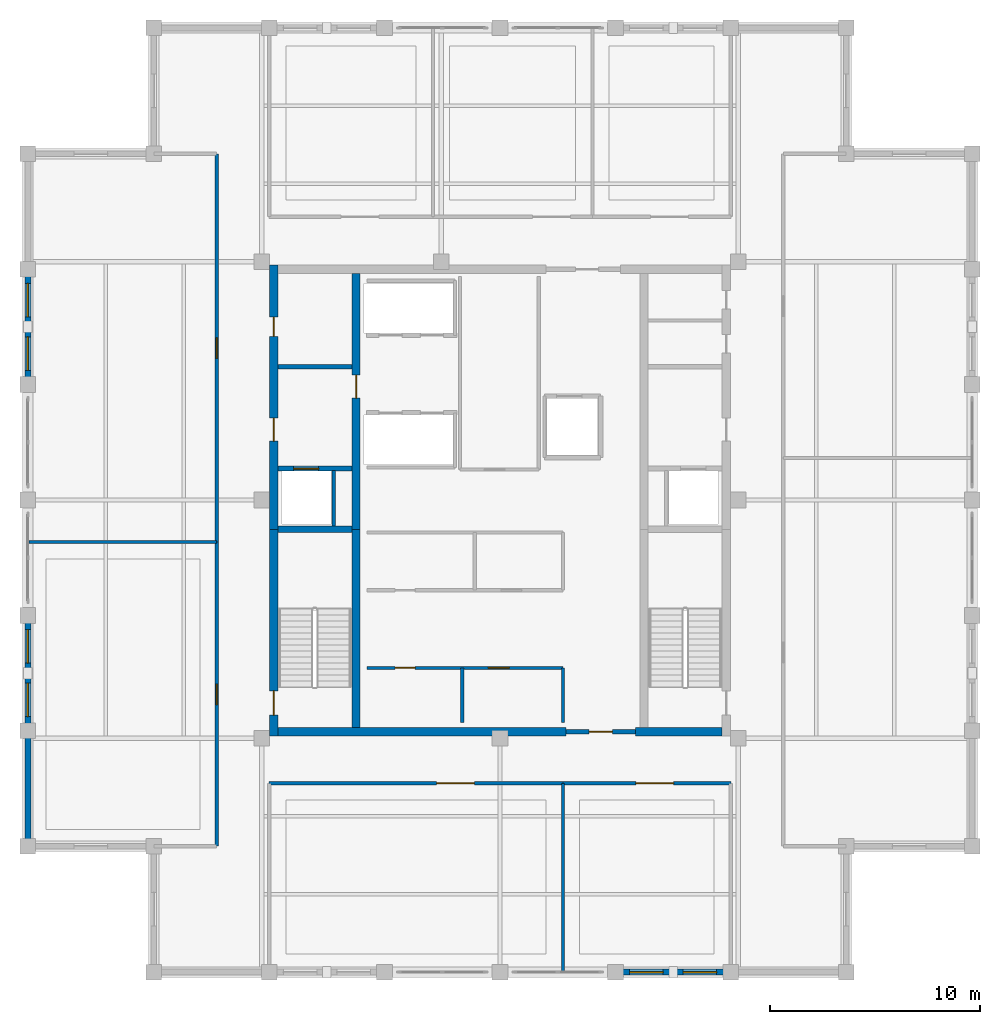
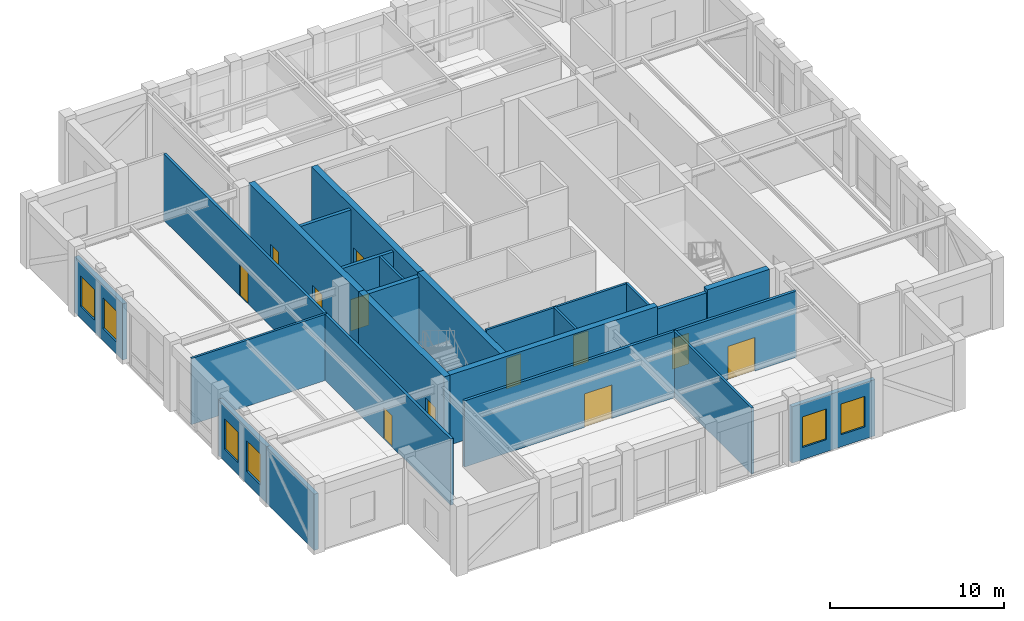
# One storey, part 7 of 13: 24 walls, 12 doors, 6 windows, 18 openings.
"""IFC4 building model written with IfcOpenShell, lengths in metres."""

from ifc_helpers import new_model, si_unit, direction, frame, frame_2d, origin, place, context, subcontext, project, spatial, rectangle, extrude, material, layer, layer_set, type_object, element, fill, save


model = new_model("IFC4")

# Units and contexts
model_context = context("Model", 3, precision=1e-05, world=origin(), true_north=direction((0.0, 1.0)))
body_context = subcontext(model_context, "Body", "Model", "MODEL_VIEW")
ifc_project = project(units=[si_unit("LENGTHUNIT", "METRE"), si_unit("AREAUNIT", "SQUARE_METRE"), si_unit("VOLUMEUNIT", "CUBIC_METRE"), si_unit("PLANEANGLEUNIT", "RADIAN"), si_unit("MASSUNIT", "GRAM", prefix="KILO")], contexts=[model_context])

# Site, building, storey
site_placement = place(None, origin())
site = spatial("IfcSite", under=ifc_project, at=site_placement, CompositionType="ELEMENT")
building_placement = place(site_placement, origin())
building = spatial("IfcBuilding", under=site, at=building_placement, Name="Nhamokura Convention Tower", CompositionType="ELEMENT")
storey_placement = place(building_placement, frame((0.0, 0.0, 308.35009765625)))
storey = spatial("IfcBuildingStorey", under=building, at=storey_placement, Name="L76", CompositionType="ELEMENT", Elevation=308.35009765625)

# Wall, openings, windows
ifc_material_1 = material(Name="Bronze-pigmented precast concrete C45/55", Category="concrete")
ifc_layer_1 = layer(ifc_material_1, 0.280029296875)
ifc_layer_set_1 = layer_set([ifc_layer_1], Name="BronzePrecastSpandrel_280")
wall_type_1 = type_object("IfcWallType", Name="BronzePrecastSpandrel_280", PredefinedType="USERDEFINED", material=ifc_layer_set_1)
wall_1_placement = place(storey_placement, frame((43.0, 9.5, 0.0), z_axis=(0.0, 0.0, 1.0), x_axis=(-1.0, 0.0, 0.0)))
wall_1 = element("IfcWall", 1, at=wall_1_placement, inside=storey, type_object=wall_type_1, Name="L76 Masonry-Frame Wall SOUTH 4", ObjectType="SPANDREL_WALL", PredefinedType="USERDEFINED", context=body_context, shape_type="SweptSolid", body=[
    extrude(rectangle(XDim=5.5, YDim=0.280029296875, at=frame_2d((2.75, 0.0))), origin(), (0.0, 0.0, 1.0), 3.93994140625),
])
opening_1_placement = place(wall_1_placement, frame((0.675048828125, 0.0, 0.85009765625)))
opening_1 = element("IfcOpeningElement", 2, at=opening_1_placement, cuts=wall_1, Name="Opening W-11", PredefinedType="OPENING", context=body_context, shape_type="SweptSolid", body=[
    extrude(rectangle(XDim=1.60009765625, YDim=2.14990234375, at=frame_2d((0.800048828125, 1.074951171875))), frame((0.0, 0.14990234375, 0.0), z_axis=(0.0, -1.0, 0.0), x_axis=(1.0, 0.0, 0.0)), (0.0, 0.0, 1.0), 0.300048828125),
])
opening_2_placement = place(wall_1_placement, frame((3.22509765625, 0.0, 0.85009765625)))
opening_2 = element("IfcOpeningElement", 3, at=opening_2_placement, cuts=wall_1, Name="Opening W-11", PredefinedType="OPENING", context=body_context, shape_type="SweptSolid", body=[
    extrude(rectangle(XDim=1.60009765625, YDim=2.14990234375, at=frame_2d((0.800048828125, 1.074951171875))), frame((0.0, 0.14990234375, 0.0), z_axis=(0.0, -1.0, 0.0), x_axis=(1.0, 0.0, 0.0)), (0.0, 0.0, 1.0), 0.300048828125),
])
ifc_material_2 = material(Name="Solar-control bronze low-E double glass", Category="glass")
window_type = type_object("IfcWindowType", Name="NotchCornerWindow_1600", PartitioningType="SINGLE_PANEL", PredefinedType="WINDOW", material=ifc_material_2)
window_1_placement = place(opening_1_placement, origin())
window_1 = element("IfcWindow", 4, at=window_1_placement, inside=storey, type_object=window_type, Name="L76 Facade Window SOUTH 4-1", OverallHeight=2.14990234375, OverallWidth=1.60009765625, PartitioningType="SINGLE_PANEL", PredefinedType="WINDOW", context=body_context, shape_type="SweptSolid", body=[
    extrude(rectangle(XDim=1.60009765625, YDim=2.14990234375, at=frame_2d((0.800048828125, 1.074951171875))), frame((0.0, 0.030029296875, 0.0), z_axis=(0.0, -1.0, 0.0), x_axis=(1.0, 0.0, 0.0)), (0.0, 0.0, 1.0), 0.06005859375),
])
fill(opening_1, window_1)
window_2_placement = place(opening_2_placement, origin())
window_2 = element("IfcWindow", 5, at=window_2_placement, inside=storey, type_object=window_type, Name="L76 Facade Window SOUTH 4-2", OverallHeight=2.14990234375, OverallWidth=1.60009765625, PartitioningType="SINGLE_PANEL", PredefinedType="WINDOW", context=body_context, shape_type="SweptSolid", body=[
    extrude(rectangle(XDim=1.60009765625, YDim=2.14990234375, at=frame_2d((0.800048828125, 1.074951171875))), frame((0.0, 0.030029296875, 0.0), z_axis=(0.0, -1.0, 0.0), x_axis=(1.0, 0.0, 0.0)), (0.0, 0.0, 1.0), 0.06005859375),
])
fill(opening_2, window_2)

# Wall
wall_2_placement = place(storey_placement, frame((9.5, 15.5, 0.0), z_axis=(0.0, 0.0, 1.0), x_axis=(0.0, 1.0, 0.0)))
element("IfcWall", 6, at=wall_2_placement, inside=storey, type_object=wall_type_1, Name="L76 Braced-Bay Precast Wall WEST 0", ObjectType="SPANDREL_WALL", PredefinedType="USERDEFINED", context=body_context, shape_type="SweptSolid", body=[
    extrude(rectangle(XDim=5.5, YDim=0.280029296875, at=frame_2d((2.75, 0.0))), origin(), (0.0, 0.0, 1.0), 3.93994140625),
])

# Wall, openings, windows
wall_3_placement = place(storey_placement, frame((9.5, 21.0, 0.0), z_axis=(0.0, 0.0, 1.0), x_axis=(0.0, 1.0, 0.0)))
wall_3 = element("IfcWall", 7, at=wall_3_placement, inside=storey, type_object=wall_type_1, Name="L76 Masonry-Frame Wall WEST 1", ObjectType="SPANDREL_WALL", PredefinedType="USERDEFINED", context=body_context, shape_type="SweptSolid", body=[
    extrude(rectangle(XDim=5.5, YDim=0.280029296875, at=frame_2d((2.75, 0.0))), origin(), (0.0, 0.0, 1.0), 3.93994140625),
])
opening_3_placement = place(wall_3_placement, frame((0.675048828125, 0.0, 0.85009765625)))
opening_3 = element("IfcOpeningElement", 8, at=opening_3_placement, cuts=wall_3, Name="Opening W-11", PredefinedType="OPENING", context=body_context, shape_type="SweptSolid", body=[
    extrude(rectangle(XDim=1.60009765625, YDim=2.14990234375, at=frame_2d((0.800048828125, 1.074951171875))), frame((0.0, 0.14990234375, 0.0), z_axis=(0.0, -1.0, 0.0), x_axis=(1.0, 0.0, 0.0)), (0.0, 0.0, 1.0), 0.300048828125),
])
opening_4_placement = place(wall_3_placement, frame((3.22509765625, 0.0, 0.85009765625)))
opening_4 = element("IfcOpeningElement", 9, at=opening_4_placement, cuts=wall_3, Name="Opening W-11", PredefinedType="OPENING", context=body_context, shape_type="SweptSolid", body=[
    extrude(rectangle(XDim=1.60009765625, YDim=2.14990234375, at=frame_2d((0.800048828125, 1.074951171875))), frame((0.0, 0.14990234375, 0.0), z_axis=(0.0, -1.0, 0.0), x_axis=(1.0, 0.0, 0.0)), (0.0, 0.0, 1.0), 0.300048828125),
])
window_3_placement = place(opening_3_placement, origin())
window_3 = element("IfcWindow", 10, at=window_3_placement, inside=storey, type_object=window_type, Name="L76 Facade Window WEST 1-1", OverallHeight=2.14990234375, OverallWidth=1.60009765625, PartitioningType="SINGLE_PANEL", PredefinedType="WINDOW", context=body_context, shape_type="SweptSolid", body=[
    extrude(rectangle(XDim=1.60009765625, YDim=2.14990234375, at=frame_2d((0.800048828125, 1.074951171875))), frame((0.0, 0.030029296875, 0.0), z_axis=(0.0, -1.0, 0.0), x_axis=(1.0, 0.0, 0.0)), (0.0, 0.0, 1.0), 0.06005859375),
])
fill(opening_3, window_3)
window_4_placement = place(opening_4_placement, origin())
window_4 = element("IfcWindow", 11, at=window_4_placement, inside=storey, type_object=window_type, Name="L76 Facade Window WEST 1-2", OverallHeight=2.14990234375, OverallWidth=1.60009765625, PartitioningType="SINGLE_PANEL", PredefinedType="WINDOW", context=body_context, shape_type="SweptSolid", body=[
    extrude(rectangle(XDim=1.60009765625, YDim=2.14990234375, at=frame_2d((0.800048828125, 1.074951171875))), frame((0.0, 0.030029296875, 0.0), z_axis=(0.0, -1.0, 0.0), x_axis=(1.0, 0.0, 0.0)), (0.0, 0.0, 1.0), 0.06005859375),
])
fill(opening_4, window_4)

wall_4_placement = place(storey_placement, frame((9.5, 37.5, 0.0), z_axis=(0.0, 0.0, 1.0), x_axis=(0.0, 1.0, 0.0)))
wall_4 = element("IfcWall", 12, at=wall_4_placement, inside=storey, type_object=wall_type_1, Name="L76 Masonry-Frame Wall WEST 4", ObjectType="SPANDREL_WALL", PredefinedType="USERDEFINED", context=body_context, shape_type="SweptSolid", body=[
    extrude(rectangle(XDim=5.5, YDim=0.280029296875, at=frame_2d((2.75, 0.0))), origin(), (0.0, 0.0, 1.0), 3.93994140625),
])
opening_5_placement = place(wall_4_placement, frame((0.675048828125, 0.0, 0.85009765625)))
opening_5 = element("IfcOpeningElement", 13, at=opening_5_placement, cuts=wall_4, Name="Opening W-11", PredefinedType="OPENING", context=body_context, shape_type="SweptSolid", body=[
    extrude(rectangle(XDim=1.60009765625, YDim=2.14990234375, at=frame_2d((0.800048828125, 1.074951171875))), frame((0.0, 0.14990234375, 0.0), z_axis=(0.0, -1.0, 0.0), x_axis=(1.0, 0.0, 0.0)), (0.0, 0.0, 1.0), 0.300048828125),
])
opening_6_placement = place(wall_4_placement, frame((3.22509765625, 0.0, 0.85009765625)))
opening_6 = element("IfcOpeningElement", 14, at=opening_6_placement, cuts=wall_4, Name="Opening W-11", PredefinedType="OPENING", context=body_context, shape_type="SweptSolid", body=[
    extrude(rectangle(XDim=1.60009765625, YDim=2.14990234375, at=frame_2d((0.800048828125, 1.074951171875))), frame((0.0, 0.14990234375, 0.0), z_axis=(0.0, -1.0, 0.0), x_axis=(1.0, 0.0, 0.0)), (0.0, 0.0, 1.0), 0.300048828125),
])
window_5_placement = place(opening_5_placement, origin())
window_5 = element("IfcWindow", 15, at=window_5_placement, inside=storey, type_object=window_type, Name="L76 Facade Window WEST 4-1", OverallHeight=2.14990234375, OverallWidth=1.60009765625, PartitioningType="SINGLE_PANEL", PredefinedType="WINDOW", context=body_context, shape_type="SweptSolid", body=[
    extrude(rectangle(XDim=1.60009765625, YDim=2.14990234375, at=frame_2d((0.800048828125, 1.074951171875))), frame((0.0, 0.030029296875, 0.0), z_axis=(0.0, -1.0, 0.0), x_axis=(1.0, 0.0, 0.0)), (0.0, 0.0, 1.0), 0.06005859375),
])
fill(opening_5, window_5)
window_6_placement = place(opening_6_placement, origin())
window_6 = element("IfcWindow", 16, at=window_6_placement, inside=storey, type_object=window_type, Name="L76 Facade Window WEST 4-2", OverallHeight=2.14990234375, OverallWidth=1.60009765625, PartitioningType="SINGLE_PANEL", PredefinedType="WINDOW", context=body_context, shape_type="SweptSolid", body=[
    extrude(rectangle(XDim=1.60009765625, YDim=2.14990234375, at=frame_2d((0.800048828125, 1.074951171875))), frame((0.0, 0.030029296875, 0.0), z_axis=(0.0, -1.0, 0.0), x_axis=(1.0, 0.0, 0.0)), (0.0, 0.0, 1.0), 0.06005859375),
])
fill(opening_6, window_6)

# Wall, opening, door
ifc_material_3 = material(Name="Concrete C50/60", Category="concrete")
ifc_layer_2 = layer(ifc_material_3, 0.39990234375)
ifc_layer_set_2 = layer_set([ifc_layer_2], Name="CoreShearWall_400")
wall_type_2 = type_object("IfcWallType", Name="CoreShearWall_400", PredefinedType="SHEAR", material=ifc_layer_set_2)
wall_5_placement = place(storey_placement, frame((21.2099609375, 20.75, 0.0), z_axis=(0.0, 0.0, 1.0), x_axis=(0.0, 1.0, 0.0)))
wall_5 = element("IfcWall", 17, at=wall_5_placement, inside=storey, type_object=wall_type_2, Name="L76 Core Shear Wall CW-WS", PredefinedType="SHEAR", context=body_context, shape_type="SweptSolid", body=[
    extrude(rectangle(XDim=9.85009765625, YDim=0.39990234375, at=frame_2d((4.925048828125, 0.0))), origin(), (0.0, 0.0, 1.0), 4.89990234375),
])
opening_7_placement = place(wall_5_placement, frame((1.0, 0.0, 0.0)))
opening_7 = element("IfcOpeningElement", 18, at=opening_7_placement, cuts=wall_5, Name="Opening D-04", PredefinedType="OPENING", context=body_context, shape_type="SweptSolid", body=[
    extrude(rectangle(XDim=1.14990234375, YDim=2.14990234375, at=frame_2d((0.574951171875, 1.074951171875))), frame((0.0, 0.2099609375, 0.0), z_axis=(0.0, -1.0, 0.0), x_axis=(1.0, 0.0, 0.0)), (0.0, 0.0, 1.0), 0.419921875),
])
ifc_material_4 = material(Name="Fire-rated steel door", Category="steel")
door_type_1 = type_object("IfcDoorType", Name="StairSmokeDoor_1150", OperationType="NOTDEFINED", PredefinedType="DOOR", material=ifc_material_4)
door_1_placement = place(opening_7_placement, origin())
door_1 = element("IfcDoor", 19, at=door_1_placement, inside=storey, type_object=door_type_1, Name="L76 Core Door INT-L76-D-ST01", OperationType="SINGLE_SWING_LEFT", OverallHeight=2.14990234375, OverallWidth=1.14990234375, PredefinedType="DOOR", context=body_context, shape_type="SweptSolid", body=[
    extrude(rectangle(XDim=1.14990234375, YDim=2.14990234375, at=frame_2d((0.574951171875, 1.074951171875))), frame((0.0, 0.02490234375, 0.0), z_axis=(0.0, -1.0, 0.0), x_axis=(1.0, 0.0, 0.0)), (0.0, 0.0, 1.0), 0.050048828125),
])
fill(opening_7, door_1)

# Wall, openings, doors
wall_6_placement = place(storey_placement, frame((21.2099609375, 30.60009765625, 0.0), z_axis=(0.0, 0.0, 1.0), x_axis=(0.0, 1.0, 0.0)))
wall_6 = element("IfcWall", 20, at=wall_6_placement, inside=storey, type_object=wall_type_2, Name="L76 Core Shear Wall CW-WN", PredefinedType="SHEAR", context=body_context, shape_type="SweptSolid", body=[
    extrude(rectangle(XDim=12.599853515625, YDim=0.39990234375, at=frame_2d((6.2998046875, 0.0))), origin(), (0.0, 0.0, 1.0), 4.89990234375),
])
opening_8_placement = place(wall_6_placement, frame((4.199951171875, 0.0, 0.0)))
opening_8 = element("IfcOpeningElement", 21, at=opening_8_placement, cuts=wall_6, Name="Opening D-05", PredefinedType="OPENING", context=body_context, shape_type="SweptSolid", body=[
    extrude(rectangle(XDim=1.10009765625, YDim=2.14990234375, at=frame_2d((0.550048828125, 1.074951171875))), frame((0.0, 0.2099609375, 0.0), z_axis=(0.0, -1.0, 0.0), x_axis=(1.0, 0.0, 0.0)), (0.0, 0.0, 1.0), 0.419921875),
])
opening_9_placement = place(wall_6_placement, frame((9.199951171875, 0.0, 0.0)))
opening_9 = element("IfcOpeningElement", 22, at=opening_9_placement, cuts=wall_6, Name="Opening D-10", PredefinedType="OPENING", context=body_context, shape_type="SweptSolid", body=[
    extrude(rectangle(XDim=0.919921875, YDim=2.10009765625, at=frame_2d((0.4599609375, 1.050048828125))), frame((0.0, 0.2099609375, 0.0), z_axis=(0.0, -1.0, 0.0), x_axis=(1.0, 0.0, 0.0)), (0.0, 0.0, 1.0), 0.419921875),
])
ifc_material_5 = material(Name="Solid oak hardwood", Category="wood")
door_type_2 = type_object("IfcDoorType", Name="AccessibleWCDoor_920", OperationType="NOTDEFINED", PredefinedType="DOOR", material=ifc_material_5)
door_2_placement = place(opening_9_placement, origin())
door_2 = element("IfcDoor", 23, at=door_2_placement, inside=storey, type_object=door_type_2, Name="L76 Core Door INT-L76-D-AWC", OperationType="SINGLE_SWING_LEFT", OverallHeight=2.10009765625, OverallWidth=0.919921875, PredefinedType="DOOR", context=body_context, shape_type="SweptSolid", body=[
    extrude(rectangle(XDim=0.919921875, YDim=2.10009765625, at=frame_2d((0.4599609375, 1.050048828125))), frame((0.0, 0.02490234375, 0.0), z_axis=(0.0, -1.0, 0.0), x_axis=(1.0, 0.0, 0.0)), (0.0, 0.0, 1.0), 0.050048828125),
])
fill(opening_9, door_2)
ifc_material_6 = material(Name="Fire-rated steel door", Category="steel")
door_type_3 = type_object("IfcDoorType", Name="FireLobbyDoor_1100", OperationType="NOTDEFINED", PredefinedType="DOOR", material=ifc_material_6)
door_3_placement = place(opening_8_placement, origin())
door_3 = element("IfcDoor", 24, at=door_3_placement, inside=storey, type_object=door_type_3, Name="L76 Core Door INT-L76-D-FFLW", OperationType="SINGLE_SWING_RIGHT", OverallHeight=2.14990234375, OverallWidth=1.10009765625, PredefinedType="DOOR", context=body_context, shape_type="SweptSolid", body=[
    extrude(rectangle(XDim=1.10009765625, YDim=2.14990234375, at=frame_2d((0.550048828125, 1.074951171875))), frame((0.0, 0.02490234375, 0.0), z_axis=(0.0, -1.0, 0.0), x_axis=(1.0, 0.0, 0.0)), (0.0, 0.0, 1.0), 0.050048828125),
])
fill(opening_8, door_3)

# Walls
wall_7_placement = place(storey_placement, frame((21.409912109375, 20.949951171875, 0.0), z_axis=(0.0, 0.0, 1.0), x_axis=(1.0, 0.0, 0.0)))
element("IfcWall", 25, at=wall_7_placement, inside=storey, type_object=wall_type_2, Name="L76 Core Shear Wall CW-S1", PredefinedType="SHEAR", context=body_context, shape_type="SweptSolid", body=[
    extrude(rectangle(XDim=13.739990234375, YDim=0.39990234375, at=frame_2d((6.8701171875, 0.0))), origin(), (0.0, 0.0, 1.0), 4.89990234375),
])
wall_8_placement = place(storey_placement, frame((38.449951171875, 20.949951171875, 0.0), z_axis=(0.0, 0.0, 1.0), x_axis=(1.0, 0.0, 0.0)))
element("IfcWall", 26, at=wall_8_placement, inside=storey, type_object=wall_type_2, Name="L76 Core Shear Wall CW-S2", PredefinedType="SHEAR", context=body_context, shape_type="SweptSolid", body=[
    extrude(rectangle(XDim=4.14013671875, YDim=0.39990234375, at=frame_2d((2.070068359375, 0.0))), origin(), (0.0, 0.0, 1.0), 4.89990234375),
])
wall_9_placement = place(storey_placement, frame((25.139892578125, 21.14990234375, 0.0), z_axis=(0.0, 0.0, 1.0), x_axis=(0.0, 1.0, 0.0)))
element("IfcWall", 27, at=wall_9_placement, inside=storey, type_object=wall_type_2, Name="L76 Core Shear Wall CW-IWS", PredefinedType="SHEAR", context=body_context, shape_type="SweptSolid", body=[
    extrude(rectangle(XDim=9.4501953125, YDim=0.39990234375, at=frame_2d((4.72509765625, 0.0))), origin(), (0.0, 0.0, 1.0), 4.89990234375),
])

# Wall, opening, door
wall_10_placement = place(storey_placement, frame((25.139892578125, 30.60009765625, 0.0), z_axis=(0.0, 0.0, 1.0), x_axis=(0.0, 1.0, 0.0)))
wall_10 = element("IfcWall", 28, at=wall_10_placement, inside=storey, type_object=wall_type_2, Name="L76 Core Shear Wall CW-IWN", PredefinedType="SHEAR", context=body_context, shape_type="SweptSolid", body=[
    extrude(rectangle(XDim=12.199951171875, YDim=0.39990234375, at=frame_2d((6.10009765625, 0.0))), origin(), (0.0, 0.0, 1.0), 4.89990234375),
])
opening_10_placement = place(wall_10_placement, frame((6.25, 0.0, 0.0)))
opening_10 = element("IfcOpeningElement", 29, at=opening_10_placement, cuts=wall_10, Name="Opening D-05", PredefinedType="OPENING", context=body_context, shape_type="SweptSolid", body=[
    extrude(rectangle(XDim=1.10009765625, YDim=2.14990234375, at=frame_2d((0.550048828125, 1.074951171875))), frame((0.0, 0.2099609375, 0.0), z_axis=(0.0, -1.0, 0.0), x_axis=(1.0, 0.0, 0.0)), (0.0, 0.0, 1.0), 0.419921875),
])
door_4_placement = place(opening_10_placement, origin())
door_4 = element("IfcDoor", 30, at=door_4_placement, inside=storey, type_object=door_type_3, Name="L76 Core Door INT-L76-D-B3LOB", OperationType="SINGLE_SWING_LEFT", OverallHeight=2.14990234375, OverallWidth=1.10009765625, PredefinedType="DOOR", context=body_context, shape_type="SweptSolid", body=[
    extrude(rectangle(XDim=1.10009765625, YDim=2.14990234375, at=frame_2d((0.550048828125, 1.074951171875))), frame((0.0, 0.02490234375, 0.0), z_axis=(0.0, -1.0, 0.0), x_axis=(1.0, 0.0, 0.0)), (0.0, 0.0, 1.0), 0.050048828125),
])
fill(opening_10, door_4)

ifc_material_7 = material(Name="Fire-rated gypsum and masonry partition", Category="masonry")
ifc_layer_3 = layer(ifc_material_7, 0.179931640625)
ifc_layer_set_3 = layer_set([ifc_layer_3], Name="CorridorRatedWall_180")
wall_type_3 = type_object("IfcWallType", Name="CorridorRatedWall_180", PredefinedType="STANDARD", material=ifc_layer_set_3)
wall_11_placement = place(storey_placement, frame((21.0, 18.5, 0.0), z_axis=(0.0, 0.0, 1.0), x_axis=(1.0, 0.0, 0.0)))
wall_11 = element("IfcWall", 31, at=wall_11_placement, inside=storey, type_object=wall_type_3, Name="L76 Wall INT-L76-CW-S00", PredefinedType="STANDARD", context=body_context, shape_type="SweptSolid", body=[
    extrude(rectangle(XDim=14.0, YDim=0.179931640625, at=frame_2d((7.0, 0.0))), origin(), (0.0, 0.0, 1.0), 4.639892578125),
])
opening_11_placement = place(wall_11_placement, frame((7.97509765625, 0.0, 0.0)))
opening_11 = element("IfcOpeningElement", 32, at=opening_11_placement, cuts=wall_11, Name="Opening D-03", PredefinedType="OPENING", context=body_context, shape_type="SweptSolid", body=[
    extrude(rectangle(XDim=1.800048828125, YDim=2.35009765625, at=frame_2d((0.89990234375, 1.175048828125))), frame((0.0, 0.099853515625, 0.0), z_axis=(0.0, -1.0, 0.0), x_axis=(1.0, 0.0, 0.0)), (0.0, 0.0, 1.0), 0.199951171875),
])
ifc_material_8 = material(Name="Solid oak hardwood", Category="wood")
door_type_4 = type_object("IfcDoorType", Name="BallroomDoubleDoor_1800", OperationType="DOUBLE_DOOR_SINGLE_SWING", PredefinedType="DOOR", material=ifc_material_8)
door_5_placement = place(opening_11_placement, origin())
door_5 = element("IfcDoor", 33, at=door_5_placement, inside=storey, type_object=door_type_4, Name="L76 Summit Sky Reception S01 Door", OperationType="SINGLE_SWING_LEFT", OverallHeight=2.35009765625, OverallWidth=1.800048828125, PredefinedType="DOOR", context=body_context, shape_type="SweptSolid", body=[
    extrude(rectangle(XDim=1.800048828125, YDim=2.35009765625, at=frame_2d((0.89990234375, 1.175048828125))), frame((0.0, 0.02490234375, 0.0), z_axis=(0.0, -1.0, 0.0), x_axis=(1.0, 0.0, 0.0)), (0.0, 0.0, 1.0), 0.050048828125),
])
fill(opening_11, door_5)

wall_12_placement = place(storey_placement, frame((35.0, 18.5, 0.0), z_axis=(0.0, 0.0, 1.0), x_axis=(1.0, 0.0, 0.0)))
wall_12 = element("IfcWall", 34, at=wall_12_placement, inside=storey, type_object=wall_type_3, Name="L76 Wall INT-L76-CW-S01", PredefinedType="STANDARD", context=body_context, shape_type="SweptSolid", body=[
    extrude(rectangle(XDim=8.0, YDim=0.179931640625, at=frame_2d((4.0, 0.0))), origin(), (0.0, 0.0, 1.0), 4.639892578125),
])
opening_12_placement = place(wall_12_placement, frame((3.47509765625, 0.0, 0.0)))
opening_12 = element("IfcOpeningElement", 35, at=opening_12_placement, cuts=wall_12, Name="Opening D-03", PredefinedType="OPENING", context=body_context, shape_type="SweptSolid", body=[
    extrude(rectangle(XDim=1.800048828125, YDim=2.35009765625, at=frame_2d((0.89990234375, 1.175048828125))), frame((0.0, 0.099853515625, 0.0), z_axis=(0.0, -1.0, 0.0), x_axis=(1.0, 0.0, 0.0)), (0.0, 0.0, 1.0), 0.199951171875),
])
door_6_placement = place(opening_12_placement, origin())
door_6 = element("IfcDoor", 36, at=door_6_placement, inside=storey, type_object=door_type_4, Name="L76 Sky Dining Restaurant S02 Door", OperationType="SINGLE_SWING_RIGHT", OverallHeight=2.35009765625, OverallWidth=1.800048828125, PredefinedType="DOOR", context=body_context, shape_type="SweptSolid", body=[
    extrude(rectangle(XDim=1.800048828125, YDim=2.35009765625, at=frame_2d((0.89990234375, 1.175048828125))), frame((0.0, 0.02490234375, 0.0), z_axis=(0.0, -1.0, 0.0), x_axis=(1.0, 0.0, 0.0)), (0.0, 0.0, 1.0), 0.050048828125),
])
fill(opening_12, door_6)

wall_13_placement = place(storey_placement, frame((18.5, 15.5, 0.0), z_axis=(0.0, 0.0, 1.0), x_axis=(0.0, 1.0, 0.0)))
wall_13 = element("IfcWall", 37, at=wall_13_placement, inside=storey, type_object=wall_type_3, Name="L76 Wall INT-L76-CW-W00", PredefinedType="STANDARD", context=body_context, shape_type="SweptSolid", body=[
    extrude(rectangle(XDim=14.5, YDim=0.179931640625, at=frame_2d((7.25, 0.0))), origin(), (0.0, 0.0, 1.0), 4.639892578125),
])
opening_13_placement = place(wall_13_placement, frame((6.75, 0.0, 0.0)))
opening_13 = element("IfcOpeningElement", 38, at=opening_13_placement, cuts=wall_13, Name="Opening D-08", PredefinedType="OPENING", context=body_context, shape_type="SweptSolid", body=[
    extrude(rectangle(XDim=0.97998046875, YDim=2.199951171875, at=frame_2d((0.489990234375, 1.10009765625))), frame((0.0, 0.099853515625, 0.0), z_axis=(0.0, -1.0, 0.0), x_axis=(1.0, 0.0, 0.0)), (0.0, 0.0, 1.0), 0.199951171875),
])
ifc_material_9 = material(Name="Solid oak hardwood", Category="wood")
door_type_5 = type_object("IfcDoorType", Name="OfficeEntryDoor_980", OperationType="NOTDEFINED", PredefinedType="DOOR", material=ifc_material_9)
door_7_placement = place(opening_13_placement, origin())
door_7 = element("IfcDoor", 39, at=door_7_placement, inside=storey, type_object=door_type_5, Name="L76 Observation Lounge W01 Door", OperationType="SINGLE_SWING_LEFT", OverallHeight=2.199951171875, OverallWidth=0.97998046875, PredefinedType="DOOR", context=body_context, shape_type="SweptSolid", body=[
    extrude(rectangle(XDim=0.97998046875, YDim=2.199951171875, at=frame_2d((0.489990234375, 1.10009765625))), frame((0.0, 0.02490234375, 0.0), z_axis=(0.0, -1.0, 0.0), x_axis=(1.0, 0.0, 0.0)), (0.0, 0.0, 1.0), 0.050048828125),
])
fill(opening_13, door_7)

wall_14_placement = place(storey_placement, frame((18.5, 30.0, 0.0), z_axis=(0.0, 0.0, 1.0), x_axis=(0.0, 1.0, 0.0)))
wall_14 = element("IfcWall", 40, at=wall_14_placement, inside=storey, type_object=wall_type_3, Name="L76 Wall INT-L76-CW-W01", PredefinedType="STANDARD", context=body_context, shape_type="SweptSolid", body=[
    extrude(rectangle(XDim=18.5, YDim=0.179931640625, at=frame_2d((9.25, 0.0))), origin(), (0.0, 0.0, 1.0), 4.639892578125),
])
opening_14_placement = place(wall_14_placement, frame((8.75, 0.0, 0.0)))
opening_14 = element("IfcOpeningElement", 41, at=opening_14_placement, cuts=wall_14, Name="Opening D-08", PredefinedType="OPENING", context=body_context, shape_type="SweptSolid", body=[
    extrude(rectangle(XDim=0.97998046875, YDim=2.199951171875, at=frame_2d((0.489990234375, 1.10009765625))), frame((0.0, 0.099853515625, 0.0), z_axis=(0.0, -1.0, 0.0), x_axis=(1.0, 0.0, 0.0)), (0.0, 0.0, 1.0), 0.199951171875),
])
door_8_placement = place(opening_14_placement, origin())
door_8 = element("IfcDoor", 42, at=door_8_placement, inside=storey, type_object=door_type_5, Name="L76 Private Office W02 Door", OperationType="SINGLE_SWING_RIGHT", OverallHeight=2.199951171875, OverallWidth=0.97998046875, PredefinedType="DOOR", context=body_context, shape_type="SweptSolid", body=[
    extrude(rectangle(XDim=0.97998046875, YDim=2.199951171875, at=frame_2d((0.489990234375, 1.10009765625))), frame((0.0, 0.02490234375, 0.0), z_axis=(0.0, -1.0, 0.0), x_axis=(1.0, 0.0, 0.0)), (0.0, 0.0, 1.0), 0.050048828125),
])
fill(opening_14, door_8)

ifc_material_10 = material(Name="Autoclaved concrete blockwork", Category="masonry")
ifc_layer_4 = layer(ifc_material_10, 0.219970703125)
ifc_layer_set_4 = layer_set([ifc_layer_4], Name="FireLobbyWall_220")
wall_type_4 = type_object("IfcWallType", Name="FireLobbyWall_220", PredefinedType="STANDARD", material=ifc_layer_set_4)
wall_15_placement = place(storey_placement, frame((21.409912109375, 33.5, 0.0), z_axis=(0.0, 0.0, 1.0), x_axis=(1.0, 0.0, 0.0)))
wall_15 = element("IfcWall", 43, at=wall_15_placement, inside=storey, type_object=wall_type_4, Name="L76 Wall INT-L76-FFW-S", PredefinedType="STANDARD", context=body_context, shape_type="SweptSolid", body=[
    extrude(rectangle(XDim=3.530029296875, YDim=0.219970703125, at=frame_2d((1.76513671875, 0.0))), origin(), (0.0, 0.0, 1.0), 4.639892578125),
])
opening_15_placement = place(wall_15_placement, frame((0.75, 0.0, 0.0)))
opening_15 = element("IfcOpeningElement", 44, at=opening_15_placement, cuts=wall_15, Name="Opening LD-02", PredefinedType="OPENING", context=body_context, shape_type="SweptSolid", body=[
    extrude(rectangle(XDim=1.199951171875, YDim=2.199951171875, at=frame_2d((0.60009765625, 1.10009765625))), frame((0.0, 0.119873046875, 0.0), z_axis=(0.0, -1.0, 0.0), x_axis=(1.0, 0.0, 0.0)), (0.0, 0.0, 1.0), 0.239990234375),
])
ifc_material_11 = material(Name="Anodised bronze stainless steel", Category="steel")
door_type_6 = type_object("IfcDoorType", Name="LiftLandingDoor_FireService", OperationType="DOUBLE_DOOR_SLIDING", PredefinedType="DOOR", material=ifc_material_11)
door_9_placement = place(opening_15_placement, origin())
door_9 = element("IfcDoor", 45, at=door_9_placement, inside=storey, type_object=door_type_6, Name="L76 Firefighting Lift LF-01 Door", OperationType="DOUBLE_DOOR_SLIDING", OverallHeight=2.199951171875, OverallWidth=1.199951171875, PredefinedType="DOOR", context=body_context, shape_type="SweptSolid", body=[
    extrude(rectangle(XDim=1.199951171875, YDim=2.199951171875, at=frame_2d((0.60009765625, 1.10009765625))), frame((0.0, 0.02490234375, 0.0), z_axis=(0.0, -1.0, 0.0), x_axis=(1.0, 0.0, 0.0)), (0.0, 0.0, 1.0), 0.050048828125),
])
fill(opening_15, door_9)

# Wall
wall_16_placement = place(storey_placement, frame((21.409912109375, 38.35009765625, 0.0), z_axis=(0.0, 0.0, 1.0), x_axis=(1.0, 0.0, 0.0)))
element("IfcWall", 46, at=wall_16_placement, inside=storey, type_object=wall_type_4, Name="L76 Wall INT-L76-FFW-N", PredefinedType="STANDARD", context=body_context, shape_type="SweptSolid", body=[
    extrude(rectangle(XDim=3.530029296875, YDim=0.219970703125, at=frame_2d((1.76513671875, 0.0))), origin(), (0.0, 0.0, 1.0), 4.639892578125),
])

# Wall, opening, door
wall_17_placement = place(storey_placement, frame((35.14990234375, 20.949951171875, 0.0), z_axis=(0.0, 0.0, 1.0), x_axis=(1.0, 0.0, 0.0)))
wall_17 = element("IfcWall", 47, at=wall_17_placement, inside=storey, type_object=wall_type_4, Name="L76 Wall INT-L76-SPORT-S", PredefinedType="STANDARD", context=body_context, shape_type="SweptSolid", body=[
    extrude(rectangle(XDim=3.300048828125, YDim=0.219970703125, at=frame_2d((1.64990234375, 0.0))), origin(), (0.0, 0.0, 1.0), 4.639892578125),
])
opening_16_placement = place(wall_17_placement, frame((1.10009765625, 0.0, 0.0)))
opening_16 = element("IfcOpeningElement", 48, at=opening_16_placement, cuts=wall_17, Name="Opening D-05", PredefinedType="OPENING", context=body_context, shape_type="SweptSolid", body=[
    extrude(rectangle(XDim=1.10009765625, YDim=2.14990234375, at=frame_2d((0.550048828125, 1.074951171875))), frame((0.0, 0.119873046875, 0.0), z_axis=(0.0, -1.0, 0.0), x_axis=(1.0, 0.0, 0.0)), (0.0, 0.0, 1.0), 0.239990234375),
])
door_10_placement = place(opening_16_placement, origin())
door_10 = element("IfcDoor", 49, at=door_10_placement, inside=storey, type_object=door_type_3, Name="L76 South Core Lobby Portal Door", OperationType="SINGLE_SWING_LEFT", OverallHeight=2.14990234375, OverallWidth=1.10009765625, PredefinedType="DOOR", context=body_context, shape_type="SweptSolid", body=[
    extrude(rectangle(XDim=1.10009765625, YDim=2.14990234375, at=frame_2d((0.550048828125, 1.074951171875))), frame((0.0, 0.02490234375, 0.0), z_axis=(0.0, -1.0, 0.0), x_axis=(1.0, 0.0, 0.0)), (0.0, 0.0, 1.0), 0.050048828125),
])
fill(opening_16, door_10)

# Wall
ifc_material_12 = material(Name="Acoustic gypsum stud partition", Category="masonry")
ifc_layer_5 = layer(ifc_material_12, 0.14990234375)
ifc_layer_set_5 = layer_set([ifc_layer_5], Name="InteriorPartition_150")
wall_type_5 = type_object("IfcWallType", Name="InteriorPartition_150", PredefinedType="STANDARD", material=ifc_layer_set_5)
wall_18_placement = place(storey_placement, frame((24.080078125, 30.75, 0.0), z_axis=(0.0, 0.0, 1.0), x_axis=(0.0, 1.0, 0.0)))
element("IfcWall", 50, at=wall_18_placement, inside=storey, type_object=wall_type_5, Name="L76 Wall INT-L76-FF1-E", PredefinedType="STANDARD", context=body_context, shape_type="SweptSolid", body=[
    extrude(rectangle(XDim=2.64990234375, YDim=0.14990234375, at=frame_2d((1.324951171875, 0.0))), origin(), (0.0, 0.0, 1.0), 4.639892578125),
])

# Wall, openings, doors
wall_19_placement = place(storey_placement, frame((25.64990234375, 24.0, 0.0), z_axis=(0.0, 0.0, 1.0), x_axis=(1.0, 0.0, 0.0)))
wall_19 = element("IfcWall", 51, at=wall_19_placement, inside=storey, type_object=wall_type_5, Name="L76 Wall INT-L76-B1R-N", PredefinedType="STANDARD", context=body_context, shape_type="SweptSolid", body=[
    extrude(rectangle(XDim=9.35009765625, YDim=0.14990234375, at=frame_2d((4.675048828125, 0.0))), origin(), (0.0, 0.0, 1.0), 4.639892578125),
])
opening_17_placement = place(wall_19_placement, frame((1.35009765625, 0.0, 0.0)))
opening_17 = element("IfcOpeningElement", 52, at=opening_17_placement, cuts=wall_19, Name="Opening D-09", PredefinedType="OPENING", context=body_context, shape_type="SweptSolid", body=[
    extrude(rectangle(XDim=0.949951171875, YDim=2.14990234375, at=frame_2d((0.47509765625, 1.074951171875))), frame((0.0, 0.0849609375, 0.0), z_axis=(0.0, -1.0, 0.0), x_axis=(1.0, 0.0, 0.0)), (0.0, 0.0, 1.0), 0.169921875),
])
opening_18_placement = place(wall_19_placement, frame((5.800048828125, 0.0, 0.0)))
opening_18 = element("IfcOpeningElement", 53, at=opening_18_placement, cuts=wall_19, Name="Opening D-08", PredefinedType="OPENING", context=body_context, shape_type="SweptSolid", body=[
    extrude(rectangle(XDim=0.97998046875, YDim=2.199951171875, at=frame_2d((0.489990234375, 1.10009765625))), frame((0.0, 0.0849609375, 0.0), z_axis=(0.0, -1.0, 0.0), x_axis=(1.0, 0.0, 0.0)), (0.0, 0.0, 1.0), 0.169921875),
])
ifc_material_13 = material(Name="Solid oak hardwood", Category="wood")
door_type_7 = type_object("IfcDoorType", Name="MeetingRoomDoor_950", OperationType="NOTDEFINED", PredefinedType="DOOR", material=ifc_material_13)
door_11_placement = place(opening_17_placement, origin())
door_11 = element("IfcDoor", 54, at=door_11_placement, inside=storey, type_object=door_type_7, Name="L76 Reclaimed Briefing Room Door", OperationType="SINGLE_SWING_LEFT", OverallHeight=2.14990234375, OverallWidth=0.949951171875, PredefinedType="DOOR", context=body_context, shape_type="SweptSolid", body=[
    extrude(rectangle(XDim=0.949951171875, YDim=2.14990234375, at=frame_2d((0.47509765625, 1.074951171875))), frame((0.0, 0.02490234375, 0.0), z_axis=(0.0, -1.0, 0.0), x_axis=(1.0, 0.0, 0.0)), (0.0, 0.0, 1.0), 0.050048828125),
])
fill(opening_17, door_11)
door_12_placement = place(opening_18_placement, origin())
door_12 = element("IfcDoor", 55, at=door_12_placement, inside=storey, type_object=door_type_5, Name="L76 Reclaimed Hub Door", OperationType="SINGLE_SWING_RIGHT", OverallHeight=2.199951171875, OverallWidth=0.97998046875, PredefinedType="DOOR", context=body_context, shape_type="SweptSolid", body=[
    extrude(rectangle(XDim=0.97998046875, YDim=2.199951171875, at=frame_2d((0.489990234375, 1.10009765625))), frame((0.0, 0.02490234375, 0.0), z_axis=(0.0, -1.0, 0.0), x_axis=(1.0, 0.0, 0.0)), (0.0, 0.0, 1.0), 0.050048828125),
])
fill(opening_18, door_12)

# Walls
for number, where, z_axis, x_axis, name in (
    (56, (30.199951171875, 21.39990234375, 0.0), (0.0, 0.0, 1.0), (0.0, 1.0, 0.0), "L76 Wall INT-L76-B1R-M"),
    (57, (35.0, 21.39990234375, 0.0), (0.0, 0.0, 1.0), (0.0, 1.0, 0.0), "L76 Wall INT-L76-B1R-E"),
):
    element("IfcWall", number, at=place(storey_placement, frame(where, z_axis=z_axis, x_axis=x_axis)), inside=storey, type_object=wall_type_5, Name=name, PredefinedType="STANDARD", context=body_context, shape_type="SweptSolid", body=[
        extrude(rectangle(XDim=2.60009765625, YDim=0.14990234375, at=frame_2d((1.300048828125, 0.0))), origin(), (0.0, 0.0, 1.0), 4.639892578125),
    ])
for number, where, z_axis, x_axis, name in (
    (58, (35.0, 9.56005859375, 0.0), (0.0, 0.0, 1.0), (0.0, 1.0, 0.0), "L76 Wall INT-L76-RW-S01"),
    (59, (9.56005859375, 30.0, 0.0), (0.0, 0.0, 1.0), (1.0, 0.0, 0.0), "L76 Wall INT-L76-RW-W01"),
):
    element("IfcWall", number, at=place(storey_placement, frame(where, z_axis=z_axis, x_axis=x_axis)), inside=storey, type_object=wall_type_5, Name=name, PredefinedType="STANDARD", context=body_context, shape_type="SweptSolid", body=[
        extrude(rectangle(XDim=8.93994140625, YDim=0.14990234375, at=frame_2d((4.469970703125, 0.0))), origin(), (0.0, 0.0, 1.0), 4.639892578125),
    ])
ifc_material_14 = material(Name="Concrete C50/60", Category="concrete")
ifc_layer_6 = layer(ifc_material_14, 0.300048828125)
ifc_layer_set_6 = layer_set([ifc_layer_6], Name="ShaftEnclosureWall_300")
wall_type_6 = type_object("IfcWallType", Name="ShaftEnclosureWall_300", PredefinedType="SHEAR", material=ifc_layer_set_6)
wall_20_placement = place(storey_placement, frame((21.409912109375, 30.60009765625, 0.0), z_axis=(0.0, 0.0, 1.0), x_axis=(1.0, 0.0, 0.0)))
element("IfcWall", 60, at=wall_20_placement, inside=storey, type_object=wall_type_6, Name="L76 Wall INT-L76-ST01-N", PredefinedType="SHEAR", context=body_context, shape_type="SweptSolid", body=[
    extrude(rectangle(XDim=3.530029296875, YDim=0.300048828125, at=frame_2d((1.76513671875, 0.0))), origin(), (0.0, 0.0, 1.0), 4.639892578125),
])

save(model, "model.ifc")
